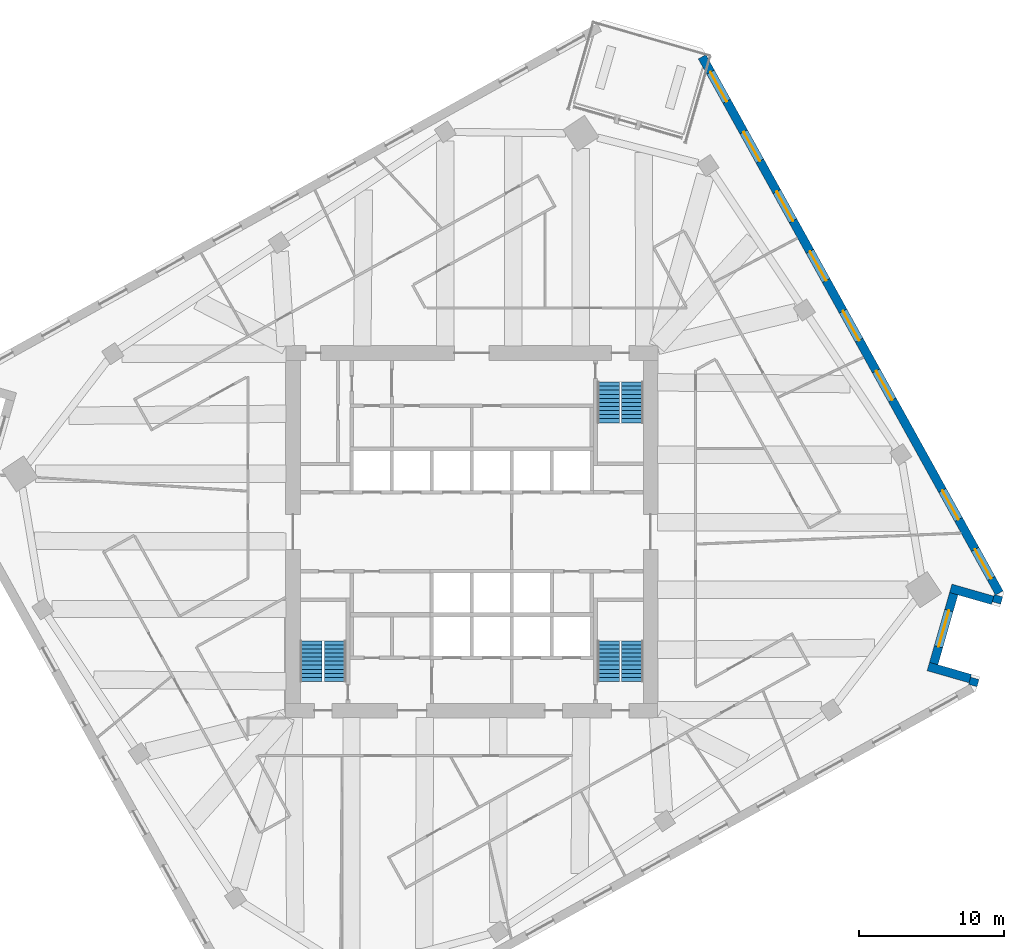
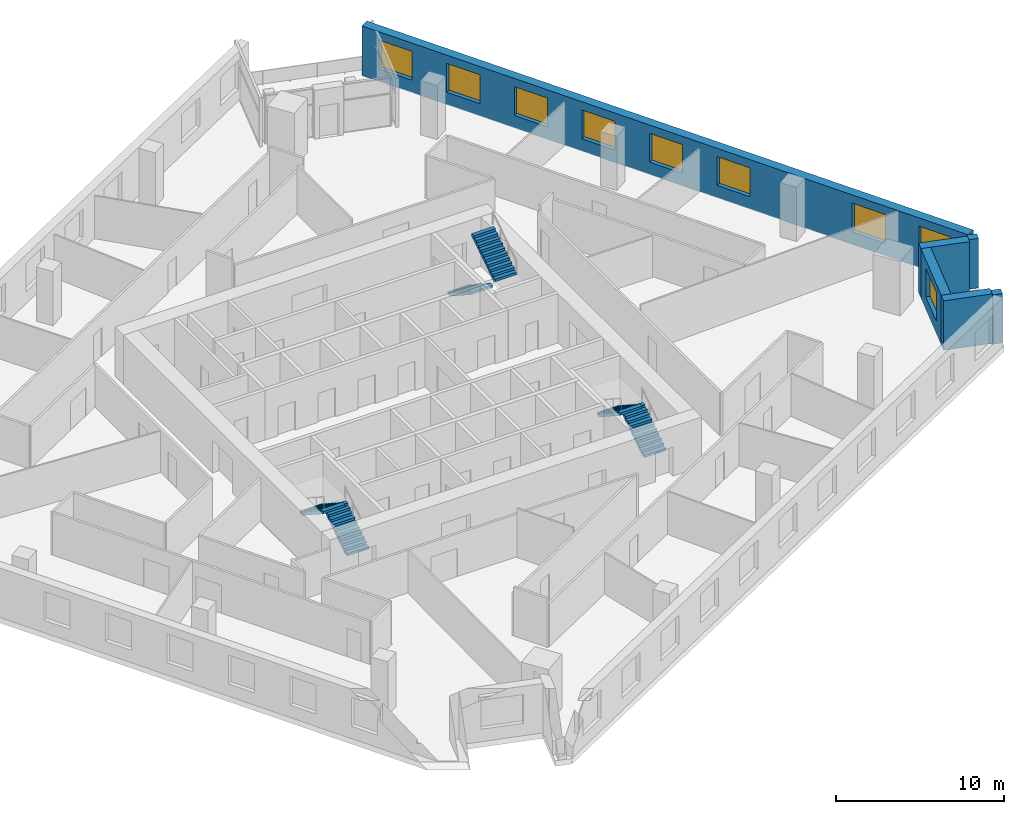
# One storey, part 10 of 12: 9 windows, 6 stair flights, 6 walls, 9 openings, 3 elements without a shape of their own.
"""IFC4 building model written with IfcOpenShell, lengths in metres."""

from ifc_helpers import new_model, si_unit, direction, frame, frame_2d, origin, place, context, subcontext, project, spatial, polyline, rectangle, outline, extrude, material, layer, layer_set, type_object, element, fill, aggregate, save


model = new_model("IFC4")

# Units and contexts
model_context = context("Model", 3, precision=1e-05, world=origin(), true_north=direction((0.0, 1.0)))
body_context = subcontext(model_context, "Body", "Model", "MODEL_VIEW")
ifc_project = project(units=[si_unit("LENGTHUNIT", "METRE"), si_unit("AREAUNIT", "SQUARE_METRE"), si_unit("VOLUMEUNIT", "CUBIC_METRE"), si_unit("PLANEANGLEUNIT", "RADIAN"), si_unit("MASSUNIT", "GRAM", prefix="KILO")], contexts=[model_context])

# Site, building, storey
site_placement = place(None, origin())
site = spatial("IfcSite", under=ifc_project, at=site_placement, CompositionType="ELEMENT")
building_placement = place(site_placement, origin())
building = spatial("IfcBuilding", under=site, at=building_placement, Name="Dilmun Exchange Tower", CompositionType="ELEMENT")
storey_placement = place(building_placement, frame((0.0, 0.0, 139.699951171875)))
storey = spatial("IfcBuildingStorey", under=building, at=storey_placement, Name="L32", CompositionType="ELEMENT", Elevation=139.699951171875)

# Walls
ifc_material_1 = material(Name="Precast concrete C50/60", Category="concrete")
ifc_layer = layer(ifc_material_1, 0.60009765625)
ifc_layer_set = layer_set([ifc_layer], Name="Precast concrete C50/60")
wall_type = type_object("IfcWallType", Name="Precast stone-clad wall 600", PredefinedType="STANDARD", material=ifc_layer_set)
wall_1_placement = place(storey_placement, frame((34.465576171875, -10.5751953125, 0.0), z_axis=(0.0, 0.0, 1.0), x_axis=(0.275667500387, 0.96125305161, 0.0)))
element("IfcWall", 1, at=wall_1_placement, inside=storey, type_object=wall_type, Name="Facade wall L32-16", PredefinedType="STANDARD", context=body_context, shape_type="SweptSolid", body=[
    extrude(rectangle(XDim=0.510986328125, YDim=0.60009765625, at=frame_2d((0.25537109375, 0.0))), origin(), (0.0, 0.0, 1.0), 3.60009765625),
])
wall_2_placement = place(storey_placement, frame((34.29052734375, -10.097412109375, 0.0), z_axis=(0.0, 0.0, 1.0), x_axis=(-0.96126248289, 0.275634611374, 0.0)))
element("IfcWall", 2, at=wall_2_placement, inside=storey, type_object=wall_type, Name="Facade wall L32-17", PredefinedType="STANDARD", context=body_context, shape_type="SweptSolid", body=[
    extrude(rectangle(XDim=3.0, YDim=0.60009765625, at=frame_2d((1.5, 0.0))), origin(), (0.0, 0.0, 1.0), 3.60009765625),
])

# Wall, opening, window
wall_3_placement = place(storey_placement, frame((31.777587890625, -9.064697265625, 0.0), z_axis=(0.0, 0.0, 1.0), x_axis=(0.275675415896, 0.961250781571, 0.0)))
wall_3 = element("IfcWall", 3, at=wall_3_placement, inside=storey, type_object=wall_type, Name="Facade wall L32-18", PredefinedType="STANDARD", context=body_context, shape_type="SweptSolid", body=[
    extrude(rectangle(XDim=5.000244140625, YDim=0.60009765625, at=frame_2d((2.5, 0.0))), origin(), (0.0, 0.0, 1.0), 3.60009765625),
])
opening_1_placement = place(wall_3_placement, frame((1.199951171875, 0.0, 0.89990234375)))
opening_1 = element("IfcOpeningElement", 4, at=opening_1_placement, cuts=wall_3, Name="Opening W260-210", PredefinedType="OPENING", context=body_context, shape_type="SweptSolid", body=[
    extrude(rectangle(XDim=2.60009765625, YDim=2.10009765625, at=frame_2d((1.300048828125, 1.050048828125))), frame((0.0, 0.31005859375, 0.0), z_axis=(0.0, -1.0, 0.0), x_axis=(1.0, 0.0, 0.0)), (0.0, 0.0, 1.0), 0.6201171875),
])
ifc_material_2 = material(Name="Clear low-emissivity glass in aluminium frame", Category="aluminium")
window_type_1 = type_object("IfcWindowType", Name="Punched window 2600 x 2100", PartitioningType="DOUBLE_PANEL_VERTICAL", PredefinedType="WINDOW", material=ifc_material_2)
window_1_placement = place(opening_1_placement, origin())
window_1 = element("IfcWindow", 5, at=window_1_placement, inside=storey, type_object=window_type_1, Name="Window 19.1", OverallHeight=2.10009765625, OverallWidth=2.60009765625, PartitioningType="SINGLE_PANEL", PredefinedType="WINDOW", context=body_context, shape_type="SweptSolid", body=[
    extrude(rectangle(XDim=2.60009765625, YDim=2.10009765625, at=frame_2d((1.300048828125, 1.050048828125))), frame((0.0, 0.030029296875, 0.0), z_axis=(0.0, -1.0, 0.0), x_axis=(1.0, 0.0, 0.0)), (0.0, 0.0, 1.0), 0.06005859375),
])
fill(opening_1, window_1)

# Walls
wall_4_placement = place(storey_placement, frame((32.9501953125, -3.88720703125, 0.0), z_axis=(0.0, 0.0, 1.0), x_axis=(0.96126248289, -0.275634611374, 0.0)))
element("IfcWall", 6, at=wall_4_placement, inside=storey, type_object=wall_type, Name="Facade wall L32-19", PredefinedType="STANDARD", context=body_context, shape_type="SweptSolid", body=[
    extrude(rectangle(XDim=3.0, YDim=0.60009765625, at=frame_2d((1.5, 0.0))), origin(), (0.0, 0.0, 1.0), 3.60009765625),
])
wall_5_placement = place(storey_placement, frame((36.0947265625, -4.89306640625, 0.0), z_axis=(0.0, 0.0, 1.0), x_axis=(0.275982153595, 0.961162759837, 0.0)))
element("IfcWall", 7, at=wall_5_placement, inside=storey, type_object=wall_type, Name="Facade wall L32-20", PredefinedType="STANDARD", context=body_context, shape_type="SweptSolid", body=[
    extrude(rectangle(XDim=0.51123046875, YDim=0.60009765625, at=frame_2d((0.255615234375, 0.0))), origin(), (0.0, 0.0, 1.0), 3.60009765625),
])

# Wall, openings, windows
wall_6_placement = place(storey_placement, frame((36.291015625, -4.209228515625, 0.0), z_axis=(0.0, 0.0, 1.0), x_axis=(-0.484811111615, 0.874618880458, 0.0)))
wall_6 = element("IfcWall", 8, at=wall_6_placement, inside=storey, type_object=wall_type, Name="Facade wall L32-21", PredefinedType="STANDARD", context=body_context, shape_type="SweptSolid", body=[
    extrude(rectangle(XDim=42.17578125, YDim=0.60009765625, at=frame_2d((21.087890625, 0.0))), origin(), (0.0, 0.0, 1.0), 3.60009765625),
])
opening_2_placement = place(wall_6_placement, frame((1.137939453125, 0.0, 0.89990234375)))
opening_2 = element("IfcOpeningElement", 9, at=opening_2_placement, cuts=wall_6, Name="Opening W230-210", PredefinedType="OPENING", context=body_context, shape_type="SweptSolid", body=[
    extrude(rectangle(XDim=2.300048828125, YDim=2.10009765625, at=frame_2d((1.14990234375, 1.050048828125))), frame((0.0, 0.31005859375, 0.0), z_axis=(0.0, -1.0, 0.0), x_axis=(1.0, 0.0, 0.0)), (0.0, 0.0, 1.0), 0.6201171875),
])
opening_3_placement = place(wall_6_placement, frame((5.775634765625, 0.0, 0.89990234375)))
opening_3 = element("IfcOpeningElement", 10, at=opening_3_placement, cuts=wall_6, Name="Opening W230-210", PredefinedType="OPENING", context=body_context, shape_type="SweptSolid", body=[
    extrude(rectangle(XDim=2.300048828125, YDim=2.10009765625, at=frame_2d((1.14990234375, 1.050048828125))), frame((0.0, 0.31005859375, 0.0), z_axis=(0.0, -1.0, 0.0), x_axis=(1.0, 0.0, 0.0)), (0.0, 0.0, 1.0), 0.6201171875),
])
opening_4_placement = place(wall_6_placement, frame((15.17578125, 0.0, 0.89990234375)))
opening_4 = element("IfcOpeningElement", 11, at=opening_4_placement, cuts=wall_6, Name="Opening W230-210", PredefinedType="OPENING", context=body_context, shape_type="SweptSolid", body=[
    extrude(rectangle(XDim=2.300048828125, YDim=2.10009765625, at=frame_2d((1.14990234375, 1.050048828125))), frame((0.0, 0.31005859375, 0.0), z_axis=(0.0, -1.0, 0.0), x_axis=(1.0, 0.0, 0.0)), (0.0, 0.0, 1.0), 0.6201171875),
])
opening_5_placement = place(wall_6_placement, frame((19.875732421875, 0.0, 0.89990234375)))
opening_5 = element("IfcOpeningElement", 12, at=opening_5_placement, cuts=wall_6, Name="Opening W230-210", PredefinedType="OPENING", context=body_context, shape_type="SweptSolid", body=[
    extrude(rectangle(XDim=2.300048828125, YDim=2.10009765625, at=frame_2d((1.14990234375, 1.050048828125))), frame((0.0, 0.31005859375, 0.0), z_axis=(0.0, -1.0, 0.0), x_axis=(1.0, 0.0, 0.0)), (0.0, 0.0, 1.0), 0.6201171875),
])
opening_6_placement = place(wall_6_placement, frame((24.57568359375, 0.0, 0.89990234375)))
opening_6 = element("IfcOpeningElement", 13, at=opening_6_placement, cuts=wall_6, Name="Opening W230-210", PredefinedType="OPENING", context=body_context, shape_type="SweptSolid", body=[
    extrude(rectangle(XDim=2.300048828125, YDim=2.10009765625, at=frame_2d((1.14990234375, 1.050048828125))), frame((0.0, 0.31005859375, 0.0), z_axis=(0.0, -1.0, 0.0), x_axis=(1.0, 0.0, 0.0)), (0.0, 0.0, 1.0), 0.6201171875),
])
opening_7_placement = place(wall_6_placement, frame((29.275634765625, 0.0, 0.89990234375)))
opening_7 = element("IfcOpeningElement", 14, at=opening_7_placement, cuts=wall_6, Name="Opening W230-210", PredefinedType="OPENING", context=body_context, shape_type="SweptSolid", body=[
    extrude(rectangle(XDim=2.300048828125, YDim=2.10009765625, at=frame_2d((1.14990234375, 1.050048828125))), frame((0.0, 0.31005859375, 0.0), z_axis=(0.0, -1.0, 0.0), x_axis=(1.0, 0.0, 0.0)), (0.0, 0.0, 1.0), 0.6201171875),
])
opening_8_placement = place(wall_6_placement, frame((33.9755859375, 0.0, 0.89990234375)))
opening_8 = element("IfcOpeningElement", 15, at=opening_8_placement, cuts=wall_6, Name="Opening W230-210", PredefinedType="OPENING", context=body_context, shape_type="SweptSolid", body=[
    extrude(rectangle(XDim=2.300048828125, YDim=2.10009765625, at=frame_2d((1.14990234375, 1.050048828125))), frame((0.0, 0.31005859375, 0.0), z_axis=(0.0, -1.0, 0.0), x_axis=(1.0, 0.0, 0.0)), (0.0, 0.0, 1.0), 0.6201171875),
])
opening_9_placement = place(wall_6_placement, frame((38.67578125, 0.0, 0.89990234375)))
opening_9 = element("IfcOpeningElement", 16, at=opening_9_placement, cuts=wall_6, Name="Opening W230-210", PredefinedType="OPENING", context=body_context, shape_type="SweptSolid", body=[
    extrude(rectangle(XDim=2.300048828125, YDim=2.10009765625, at=frame_2d((1.14990234375, 1.050048828125))), frame((0.0, 0.31005859375, 0.0), z_axis=(0.0, -1.0, 0.0), x_axis=(1.0, 0.0, 0.0)), (0.0, 0.0, 1.0), 0.6201171875),
])
window_type_2 = type_object("IfcWindowType", Name="Punched window 2300 x 2100", PartitioningType="DOUBLE_PANEL_VERTICAL", PredefinedType="WINDOW", material=ifc_material_2)
window_2_placement = place(opening_2_placement, origin())
window_2 = element("IfcWindow", 17, at=window_2_placement, inside=storey, type_object=window_type_2, Name="Window 22.1", OverallHeight=2.10009765625, OverallWidth=2.300048828125, PartitioningType="SINGLE_PANEL", PredefinedType="WINDOW", context=body_context, shape_type="SweptSolid", body=[
    extrude(rectangle(XDim=2.300048828125, YDim=2.10009765625, at=frame_2d((1.14990234375, 1.050048828125))), frame((0.0, 0.030029296875, 0.0), z_axis=(0.0, -1.0, 0.0), x_axis=(1.0, 0.0, 0.0)), (0.0, 0.0, 1.0), 0.06005859375),
])
fill(opening_2, window_2)
window_3_placement = place(opening_3_placement, origin())
window_3 = element("IfcWindow", 18, at=window_3_placement, inside=storey, type_object=window_type_2, Name="Window 22.2", OverallHeight=2.10009765625, OverallWidth=2.300048828125, PartitioningType="SINGLE_PANEL", PredefinedType="WINDOW", context=body_context, shape_type="SweptSolid", body=[
    extrude(rectangle(XDim=2.300048828125, YDim=2.10009765625, at=frame_2d((1.14990234375, 1.050048828125))), frame((0.0, 0.030029296875, 0.0), z_axis=(0.0, -1.0, 0.0), x_axis=(1.0, 0.0, 0.0)), (0.0, 0.0, 1.0), 0.06005859375),
])
fill(opening_3, window_3)
window_4_placement = place(opening_4_placement, origin())
window_4 = element("IfcWindow", 19, at=window_4_placement, inside=storey, type_object=window_type_2, Name="Window 22.4", OverallHeight=2.10009765625, OverallWidth=2.300048828125, PartitioningType="SINGLE_PANEL", PredefinedType="WINDOW", context=body_context, shape_type="SweptSolid", body=[
    extrude(rectangle(XDim=2.300048828125, YDim=2.10009765625, at=frame_2d((1.14990234375, 1.050048828125))), frame((0.0, 0.030029296875, 0.0), z_axis=(0.0, -1.0, 0.0), x_axis=(1.0, 0.0, 0.0)), (0.0, 0.0, 1.0), 0.06005859375),
])
fill(opening_4, window_4)
window_5_placement = place(opening_5_placement, origin())
window_5 = element("IfcWindow", 20, at=window_5_placement, inside=storey, type_object=window_type_2, Name="Window 22.5", OverallHeight=2.10009765625, OverallWidth=2.300048828125, PartitioningType="SINGLE_PANEL", PredefinedType="WINDOW", context=body_context, shape_type="SweptSolid", body=[
    extrude(rectangle(XDim=2.300048828125, YDim=2.10009765625, at=frame_2d((1.14990234375, 1.050048828125))), frame((0.0, 0.030029296875, 0.0), z_axis=(0.0, -1.0, 0.0), x_axis=(1.0, 0.0, 0.0)), (0.0, 0.0, 1.0), 0.06005859375),
])
fill(opening_5, window_5)
window_6_placement = place(opening_6_placement, origin())
window_6 = element("IfcWindow", 21, at=window_6_placement, inside=storey, type_object=window_type_2, Name="Window 22.6", OverallHeight=2.10009765625, OverallWidth=2.300048828125, PartitioningType="SINGLE_PANEL", PredefinedType="WINDOW", context=body_context, shape_type="SweptSolid", body=[
    extrude(rectangle(XDim=2.300048828125, YDim=2.10009765625, at=frame_2d((1.14990234375, 1.050048828125))), frame((0.0, 0.030029296875, 0.0), z_axis=(0.0, -1.0, 0.0), x_axis=(1.0, 0.0, 0.0)), (0.0, 0.0, 1.0), 0.06005859375),
])
fill(opening_6, window_6)
window_7_placement = place(opening_7_placement, origin())
window_7 = element("IfcWindow", 22, at=window_7_placement, inside=storey, type_object=window_type_2, Name="Window 22.7", OverallHeight=2.10009765625, OverallWidth=2.300048828125, PartitioningType="SINGLE_PANEL", PredefinedType="WINDOW", context=body_context, shape_type="SweptSolid", body=[
    extrude(rectangle(XDim=2.300048828125, YDim=2.10009765625, at=frame_2d((1.14990234375, 1.050048828125))), frame((0.0, 0.030029296875, 0.0), z_axis=(0.0, -1.0, 0.0), x_axis=(1.0, 0.0, 0.0)), (0.0, 0.0, 1.0), 0.06005859375),
])
fill(opening_7, window_7)
window_8_placement = place(opening_8_placement, origin())
window_8 = element("IfcWindow", 23, at=window_8_placement, inside=storey, type_object=window_type_2, Name="Window 22.8", OverallHeight=2.10009765625, OverallWidth=2.300048828125, PartitioningType="SINGLE_PANEL", PredefinedType="WINDOW", context=body_context, shape_type="SweptSolid", body=[
    extrude(rectangle(XDim=2.300048828125, YDim=2.10009765625, at=frame_2d((1.14990234375, 1.050048828125))), frame((0.0, 0.030029296875, 0.0), z_axis=(0.0, -1.0, 0.0), x_axis=(1.0, 0.0, 0.0)), (0.0, 0.0, 1.0), 0.06005859375),
])
fill(opening_8, window_8)
window_9_placement = place(opening_9_placement, origin())
window_9 = element("IfcWindow", 24, at=window_9_placement, inside=storey, type_object=window_type_2, Name="Window 22.9", OverallHeight=2.10009765625, OverallWidth=2.300048828125, PartitioningType="SINGLE_PANEL", PredefinedType="WINDOW", context=body_context, shape_type="SweptSolid", body=[
    extrude(rectangle(XDim=2.300048828125, YDim=2.10009765625, at=frame_2d((1.14990234375, 1.050048828125))), frame((0.0, 0.030029296875, 0.0), z_axis=(0.0, -1.0, 0.0), x_axis=(1.0, 0.0, 0.0)), (0.0, 0.0, 1.0), 0.06005859375),
])
fill(opening_9, window_9)

# Stair, stair flights
ifc_material_3 = material(Name="Concrete C40/50", Category="concrete")
stair_type = type_object("IfcStairType", Name="Exit stair 1500 half-turn", PredefinedType="HALF_TURN_STAIR", material=ifc_material_3)
stair_1_placement = place(storey_placement, origin())
stair_1 = element("IfcStair", 25, at=stair_1_placement, inside=storey, type_object=stair_type, Name="L32 Protected exit stair ST1", PredefinedType="HALF_TURN_STAIR")
stair_flight_type = type_object("IfcStairFlightType", Name="Exit stair flight 1500", PredefinedType="STRAIGHT", material=ifc_material_3)
stair_flight_1_placement = place(storey_placement, frame((9.39990234375, 10.300048828125, 0.0), z_axis=(0.0, 0.0, 1.0), x_axis=(0.0, -1.0, 0.0)))
stair_flight_1 = element("IfcStairFlight", 26, at=stair_flight_1_placement, type_object=stair_flight_type, Name="ST1 flight 1", NumberOfRisers=11, NumberOfTreads=10, PredefinedType="STRAIGHT", RiserHeight=0.181818182, TreadLength=0.28, context=body_context, shape_type="SweptSolid", body=[
    extrude(outline(polyline([(0.0, 0.0), (0.0, 0.181884765625), (0.280029296875, 0.181884765625), (0.280029296875, 0.363525390625), (0.56005859375, 0.363525390625), (0.56005859375, 0.54541015625), (0.840087890625, 0.54541015625), (0.840087890625, 0.727294921875), (1.1201171875, 0.727294921875), (1.1201171875, 0.9091796875), (1.39990234375, 0.9091796875), (1.39990234375, 1.0908203125), (1.679931640625, 1.0908203125), (1.679931640625, 1.272705078125), (1.9599609375, 1.272705078125), (1.9599609375, 1.45458984375), (2.239990234375, 1.45458984375), (2.239990234375, 1.636474609375), (2.52001953125, 1.636474609375), (2.52001953125, 1.818115234375), (2.800048828125, 1.818115234375), (2.800048828125, 2.0), (2.800048828125, 1.639404296875), (0.275146484375, 0.0), (0.0, 0.0)])), frame((0.0, 0.75, 0.0), z_axis=(0.0, -1.0, 0.0), x_axis=(1.0, 0.0, 0.0)), (0.0, 0.0, 1.0), 1.5),
])
stair_flight_2_placement = place(storey_placement, frame((11.050048828125, 7.5, 2.0), z_axis=(0.0, 0.0, 1.0), x_axis=(0.0, 1.0, 0.0)))
stair_flight_2 = element("IfcStairFlight", 27, at=stair_flight_2_placement, type_object=stair_flight_type, Name="ST1 flight 2", NumberOfRisers=11, NumberOfTreads=10, PredefinedType="STRAIGHT", RiserHeight=0.181818182, TreadLength=0.28, context=body_context, shape_type="SweptSolid", body=[
    extrude(outline(polyline([(0.0, 0.0), (0.0, 0.181884765625), (0.280029296875, 0.181884765625), (0.280029296875, 0.363525390625), (0.56005859375, 0.363525390625), (0.56005859375, 0.54541015625), (0.840087890625, 0.54541015625), (0.840087890625, 0.727294921875), (1.1201171875, 0.727294921875), (1.1201171875, 0.9091796875), (1.39990234375, 0.9091796875), (1.39990234375, 1.0908203125), (1.679931640625, 1.0908203125), (1.679931640625, 1.272705078125), (1.9599609375, 1.272705078125), (1.9599609375, 1.45458984375), (2.239990234375, 1.45458984375), (2.239990234375, 1.636474609375), (2.52001953125, 1.636474609375), (2.52001953125, 1.818115234375), (2.800048828125, 1.818115234375), (2.800048828125, 2.0), (2.800048828125, 1.639404296875), (0.275146484375, 0.0), (0.0, 0.0)])), frame((0.0, 0.75, 0.0), z_axis=(0.0, -1.0, 0.0), x_axis=(1.0, 0.0, 0.0)), (0.0, 0.0, 1.0), 1.5),
])
aggregate(stair_1, [stair_flight_1, stair_flight_2])

stair_2_placement = place(storey_placement, origin())
stair_2 = element("IfcStair", 28, at=stair_2_placement, inside=storey, type_object=stair_type, Name="L32 Protected exit stair ST2", PredefinedType="HALF_TURN_STAIR")
stair_flight_3_placement = place(storey_placement, frame((-9.39990234375, -10.300048828125, 0.0), z_axis=(0.0, 0.0, 1.0), x_axis=(0.0, 1.0, 0.0)))
stair_flight_3 = element("IfcStairFlight", 29, at=stair_flight_3_placement, type_object=stair_flight_type, Name="ST2 flight 1", NumberOfRisers=11, NumberOfTreads=10, PredefinedType="STRAIGHT", RiserHeight=0.181818182, TreadLength=0.28, context=body_context, shape_type="SweptSolid", body=[
    extrude(outline(polyline([(0.0, 0.0), (0.0, 0.181884765625), (0.280029296875, 0.181884765625), (0.280029296875, 0.363525390625), (0.56005859375, 0.363525390625), (0.56005859375, 0.54541015625), (0.840087890625, 0.54541015625), (0.840087890625, 0.727294921875), (1.1201171875, 0.727294921875), (1.1201171875, 0.9091796875), (1.39990234375, 0.9091796875), (1.39990234375, 1.0908203125), (1.679931640625, 1.0908203125), (1.679931640625, 1.272705078125), (1.9599609375, 1.272705078125), (1.9599609375, 1.45458984375), (2.239990234375, 1.45458984375), (2.239990234375, 1.636474609375), (2.52001953125, 1.636474609375), (2.52001953125, 1.818115234375), (2.800048828125, 1.818115234375), (2.800048828125, 2.0), (2.800048828125, 1.639404296875), (0.275146484375, 0.0), (0.0, 0.0)])), frame((0.0, 0.75, 0.0), z_axis=(0.0, -1.0, 0.0), x_axis=(1.0, 0.0, 0.0)), (0.0, 0.0, 1.0), 1.5),
])
stair_flight_4_placement = place(storey_placement, frame((-11.050048828125, -7.5, 2.0), z_axis=(0.0, 0.0, 1.0), x_axis=(0.0, -1.0, 0.0)))
stair_flight_4 = element("IfcStairFlight", 30, at=stair_flight_4_placement, type_object=stair_flight_type, Name="ST2 flight 2", NumberOfRisers=11, NumberOfTreads=10, PredefinedType="STRAIGHT", RiserHeight=0.181818182, TreadLength=0.28, context=body_context, shape_type="SweptSolid", body=[
    extrude(outline(polyline([(0.0, 0.0), (0.0, 0.181884765625), (0.280029296875, 0.181884765625), (0.280029296875, 0.363525390625), (0.56005859375, 0.363525390625), (0.56005859375, 0.54541015625), (0.840087890625, 0.54541015625), (0.840087890625, 0.727294921875), (1.1201171875, 0.727294921875), (1.1201171875, 0.9091796875), (1.39990234375, 0.9091796875), (1.39990234375, 1.0908203125), (1.679931640625, 1.0908203125), (1.679931640625, 1.272705078125), (1.9599609375, 1.272705078125), (1.9599609375, 1.45458984375), (2.239990234375, 1.45458984375), (2.239990234375, 1.636474609375), (2.52001953125, 1.636474609375), (2.52001953125, 1.818115234375), (2.800048828125, 1.818115234375), (2.800048828125, 2.0), (2.800048828125, 1.639404296875), (0.275146484375, 0.0), (0.0, 0.0)])), frame((0.0, 0.75, 0.0), z_axis=(0.0, -1.0, 0.0), x_axis=(1.0, 0.0, 0.0)), (0.0, 0.0, 1.0), 1.5),
])
aggregate(stair_2, [stair_flight_3, stair_flight_4])

stair_3_placement = place(storey_placement, origin())
stair_3 = element("IfcStair", 31, at=stair_3_placement, inside=storey, type_object=stair_type, Name="L32 Protected exit stair ST3", PredefinedType="HALF_TURN_STAIR")
stair_flight_5_placement = place(storey_placement, frame((11.050048828125, -10.300048828125, 0.0), z_axis=(0.0, 0.0, 1.0), x_axis=(0.0, 1.0, 0.0)))
stair_flight_5 = element("IfcStairFlight", 32, at=stair_flight_5_placement, type_object=stair_flight_type, Name="ST3 flight 1", NumberOfRisers=11, NumberOfTreads=10, PredefinedType="STRAIGHT", RiserHeight=0.181818182, TreadLength=0.28, context=body_context, shape_type="SweptSolid", body=[
    extrude(outline(polyline([(0.0, 0.0), (0.0, 0.181884765625), (0.280029296875, 0.181884765625), (0.280029296875, 0.363525390625), (0.56005859375, 0.363525390625), (0.56005859375, 0.54541015625), (0.840087890625, 0.54541015625), (0.840087890625, 0.727294921875), (1.1201171875, 0.727294921875), (1.1201171875, 0.9091796875), (1.39990234375, 0.9091796875), (1.39990234375, 1.0908203125), (1.679931640625, 1.0908203125), (1.679931640625, 1.272705078125), (1.9599609375, 1.272705078125), (1.9599609375, 1.45458984375), (2.239990234375, 1.45458984375), (2.239990234375, 1.636474609375), (2.52001953125, 1.636474609375), (2.52001953125, 1.818115234375), (2.800048828125, 1.818115234375), (2.800048828125, 2.0), (2.800048828125, 1.639404296875), (0.275146484375, 0.0), (0.0, 0.0)])), frame((0.0, 0.75, 0.0), z_axis=(0.0, -1.0, 0.0), x_axis=(1.0, 0.0, 0.0)), (0.0, 0.0, 1.0), 1.5),
])
stair_flight_6_placement = place(storey_placement, frame((9.39990234375, -7.5, 2.0), z_axis=(0.0, 0.0, 1.0), x_axis=(0.0, -1.0, 0.0)))
stair_flight_6 = element("IfcStairFlight", 33, at=stair_flight_6_placement, type_object=stair_flight_type, Name="ST3 flight 2", NumberOfRisers=11, NumberOfTreads=10, PredefinedType="STRAIGHT", RiserHeight=0.181818182, TreadLength=0.28, context=body_context, shape_type="SweptSolid", body=[
    extrude(outline(polyline([(0.0, 0.0), (0.0, 0.181884765625), (0.280029296875, 0.181884765625), (0.280029296875, 0.363525390625), (0.56005859375, 0.363525390625), (0.56005859375, 0.54541015625), (0.840087890625, 0.54541015625), (0.840087890625, 0.727294921875), (1.1201171875, 0.727294921875), (1.1201171875, 0.9091796875), (1.39990234375, 0.9091796875), (1.39990234375, 1.0908203125), (1.679931640625, 1.0908203125), (1.679931640625, 1.272705078125), (1.9599609375, 1.272705078125), (1.9599609375, 1.45458984375), (2.239990234375, 1.45458984375), (2.239990234375, 1.636474609375), (2.52001953125, 1.636474609375), (2.52001953125, 1.818115234375), (2.800048828125, 1.818115234375), (2.800048828125, 2.0), (2.800048828125, 1.639404296875), (0.275146484375, 0.0), (0.0, 0.0)])), frame((0.0, 0.75, 0.0), z_axis=(0.0, -1.0, 0.0), x_axis=(1.0, 0.0, 0.0)), (0.0, 0.0, 1.0), 1.5),
])
aggregate(stair_3, [stair_flight_5, stair_flight_6])

save(model, "model.ifc")
